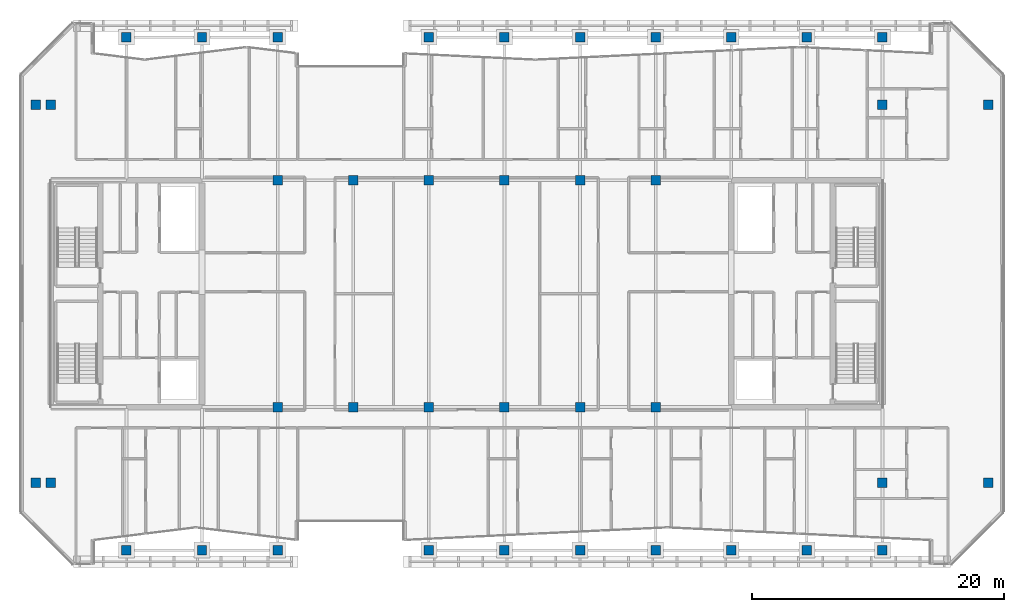
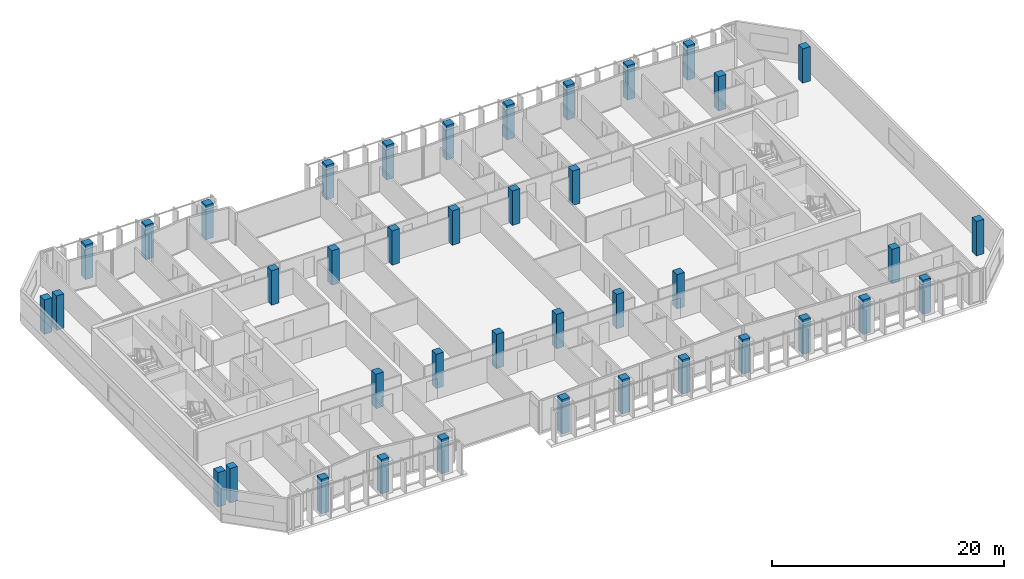
# One storey, part 1 of 32: 40 columns.
"""IFC4 building model written with IfcOpenShell, lengths in metres."""

from ifc_helpers import new_model, si_unit, direction, frame, origin, origin_2d, place, context, subcontext, project, spatial, rectangle, extrude, material, material_profile, profile_set, type_object, element, save


model = new_model("IFC4")

# Units and contexts
model_context = context("Model", 3, precision=1e-05, world=origin(), true_north=direction((0.0, 1.0)))
body_context = subcontext(model_context, "Body", "Model", "MODEL_VIEW")
ifc_project = project(units=[si_unit("LENGTHUNIT", "METRE"), si_unit("AREAUNIT", "SQUARE_METRE"), si_unit("VOLUMEUNIT", "CUBIC_METRE"), si_unit("PLANEANGLEUNIT", "RADIAN"), si_unit("MASSUNIT", "GRAM", prefix="KILO")], contexts=[model_context])

# Site, building, storey
site_placement = place(None, origin())
site = spatial("IfcSite", under=ifc_project, at=site_placement, CompositionType="ELEMENT")
building_placement = place(site_placement, origin())
building = spatial("IfcBuilding", under=site, at=building_placement, Name="Tanjung Sevakor Pilgrim Tower", CompositionType="ELEMENT")
storey_placement = place(building_placement, frame((0.0, 0.0, 211.860107421875)))
storey = spatial("IfcBuildingStorey", under=building, at=storey_placement, Name="L59", CompositionType="ELEMENT", Elevation=211.860107421875)

# Columns
ifc_material = material(Name="Concrete C60/75", Category="concrete")
ifc_material_profile = material_profile(ifc_material, rectangle(XDim=0.75, YDim=0.75, at=origin_2d()))
ifc_profile_set = profile_set([ifc_material_profile], Name="Concrete C60/75")
column_type = type_object("IfcColumnType", Name="COL-C-T750-RC_750x750", PredefinedType="COLUMN", material=ifc_profile_set)
for number, where, z_axis, x_axis, name in (
    (1, (42.0, 24.60009765625, 0.0), (0.0, 0.0, 1.0), (1.0, 0.0, 0.0), "L59 Column SPW-042-246"),
    (2, (42.0, 42.60009765625, 0.0), (0.0, 0.0, 1.0), (1.0, 0.0, 0.0), "L59 Column SPW-042-426"),
    (3, (48.0, 24.60009765625, 0.0), (0.0, 0.0, 1.0), (1.0, 0.0, 0.0), "L59 Column SPW-048-246"),
    (4, (48.0, 42.60009765625, 0.0), (0.0, 0.0, 1.0), (1.0, 0.0, 0.0), "L59 Column SPW-048-426"),
    (5, (54.0, 24.60009765625, 0.0), (0.0, 0.0, 1.0), (1.0, 0.0, 0.0), "L59 Column SPE-054-246"),
    (6, (54.0, 42.60009765625, 0.0), (0.0, 0.0, 1.0), (1.0, 0.0, 0.0), "L59 Column SPE-054-426"),
    (7, (60.0, 24.60009765625, 0.0), (0.0, 0.0, 1.0), (1.0, 0.0, 0.0), "L59 Column SPE-060-246"),
    (8, (60.0, 42.60009765625, 0.0), (0.0, 0.0, 1.0), (1.0, 0.0, 0.0), "L59 Column SPE-060-426"),
    (9, (66.0, 24.60009765625, 0.0), (0.0, 0.0, 1.0), (1.0, 0.0, 0.0), "L59 Column SPE-066-246"),
    (10, (66.0, 42.60009765625, 0.0), (0.0, 0.0, 1.0), (1.0, 0.0, 0.0), "L59 Column SPE-066-426"),
    (11, (72.0, 24.60009765625, 0.0), (0.0, 0.0, 1.0), (1.0, 0.0, 0.0), "L59 Column SPE-072-246"),
    (12, (72.0, 42.60009765625, 0.0), (0.0, 0.0, 1.0), (1.0, 0.0, 0.0), "L59 Column SPE-072-426"),
    (13, (22.800048828125, 18.60009765625, 0.0), (0.0, 0.0, 1.0), (1.0, 0.0, 0.0), "L59 Column TCE-0228-186"),
    (14, (22.800048828125, 48.60009765625, 0.0), (0.0, 0.0, 1.0), (1.0, 0.0, 0.0), "L59 Column TCE-0228-486"),
    (15, (24.0, 18.60009765625, 0.0), (0.0, 0.0, 1.0), (1.0, 0.0, 0.0), "L59 Column TCE-0240-186"),
    (16, (24.0, 48.60009765625, 0.0), (0.0, 0.0, 1.0), (1.0, 0.0, 0.0), "L59 Column TCE-0240-486"),
    (17, (90.0, 18.60009765625, 0.0), (0.0, 0.0, 1.0), (1.0, 0.0, 0.0), "L59 Column TCE-0900-186"),
    (18, (90.0, 48.60009765625, 0.0), (0.0, 0.0, 1.0), (1.0, 0.0, 0.0), "L59 Column TCE-0900-486"),
    (19, (98.39990234375, 18.60009765625, 0.0), (0.0, 0.0, 1.0), (1.0, 0.0, 0.0), "L59 Column TCE-0984-186"),
    (20, (98.39990234375, 48.60009765625, 0.0), (0.0, 0.0, 1.0), (1.0, 0.0, 0.0), "L59 Column TCE-0984-486"),
    (21, (30.0, 13.25, 0.0), (0.0, 0.0, 1.0), (1.0, 0.0, 0.0), "L59 Column TC4-030-132"),
    (22, (30.0, 53.949951171875, 0.0), (0.0, 0.0, 1.0), (1.0, 0.0, 0.0), "L59 Column TC4-030-540"),
    (23, (36.0, 13.25, 0.0), (0.0, 0.0, 1.0), (1.0, 0.0, 0.0), "L59 Column TC4-036-132"),
    (24, (36.0, 53.949951171875, 0.0), (0.0, 0.0, 1.0), (1.0, 0.0, 0.0), "L59 Column TC4-036-540"),
    (25, (42.0, 13.25, 0.0), (0.0, 0.0, 1.0), (1.0, 0.0, 0.0), "L59 Column TC4-042-132"),
    (26, (42.0, 53.949951171875, 0.0), (0.0, 0.0, 1.0), (1.0, 0.0, 0.0), "L59 Column TC4-042-540"),
    (27, (54.0, 13.25, 0.0), (0.0, 0.0, 1.0), (1.0, 0.0, 0.0), "L59 Column TC4-054-132"),
    (28, (54.0, 53.949951171875, 0.0), (0.0, 0.0, 1.0), (1.0, 0.0, 0.0), "L59 Column TC4-054-540"),
    (29, (60.0, 13.25, 0.0), (0.0, 0.0, 1.0), (1.0, 0.0, 0.0), "L59 Column TC4-060-132"),
    (30, (60.0, 53.949951171875, 0.0), (0.0, 0.0, 1.0), (1.0, 0.0, 0.0), "L59 Column TC4-060-540"),
    (31, (66.0, 13.25, 0.0), (0.0, 0.0, 1.0), (1.0, 0.0, 0.0), "L59 Column TC4-066-132"),
    (32, (66.0, 53.949951171875, 0.0), (0.0, 0.0, 1.0), (1.0, 0.0, 0.0), "L59 Column TC4-066-540"),
    (33, (72.0, 13.25, 0.0), (0.0, 0.0, 1.0), (1.0, 0.0, 0.0), "L59 Column TC4-072-132"),
    (34, (72.0, 53.949951171875, 0.0), (0.0, 0.0, 1.0), (1.0, 0.0, 0.0), "L59 Column TC4-072-540"),
    (35, (78.0, 13.25, 0.0), (0.0, 0.0, 1.0), (1.0, 0.0, 0.0), "L59 Column TC4-078-132"),
    (36, (78.0, 53.949951171875, 0.0), (0.0, 0.0, 1.0), (1.0, 0.0, 0.0), "L59 Column TC4-078-540"),
    (37, (84.0, 13.25, 0.0), (0.0, 0.0, 1.0), (1.0, 0.0, 0.0), "L59 Column TC4-084-132"),
    (38, (84.0, 53.949951171875, 0.0), (0.0, 0.0, 1.0), (1.0, 0.0, 0.0), "L59 Column TC4-084-540"),
    (39, (90.0, 13.25, 0.0), (0.0, 0.0, 1.0), (1.0, 0.0, 0.0), "L59 Column TC4-090-132"),
    (40, (90.0, 53.949951171875, 0.0), (0.0, 0.0, 1.0), (1.0, 0.0, 0.0), "L59 Column TC4-090-540"),
):
    element("IfcColumn", number, at=place(storey_placement, frame(where, z_axis=z_axis, x_axis=x_axis)), inside=storey, type_object=column_type, Name=name, PredefinedType="COLUMN", context=body_context, shape_type="SweptSolid", body=[
        extrude(rectangle(XDim=0.75, YDim=0.75, at=origin_2d()), origin(), (0.0, 0.0, 1.0), 3.6298828125),
    ])

save(model, "model.ifc")
